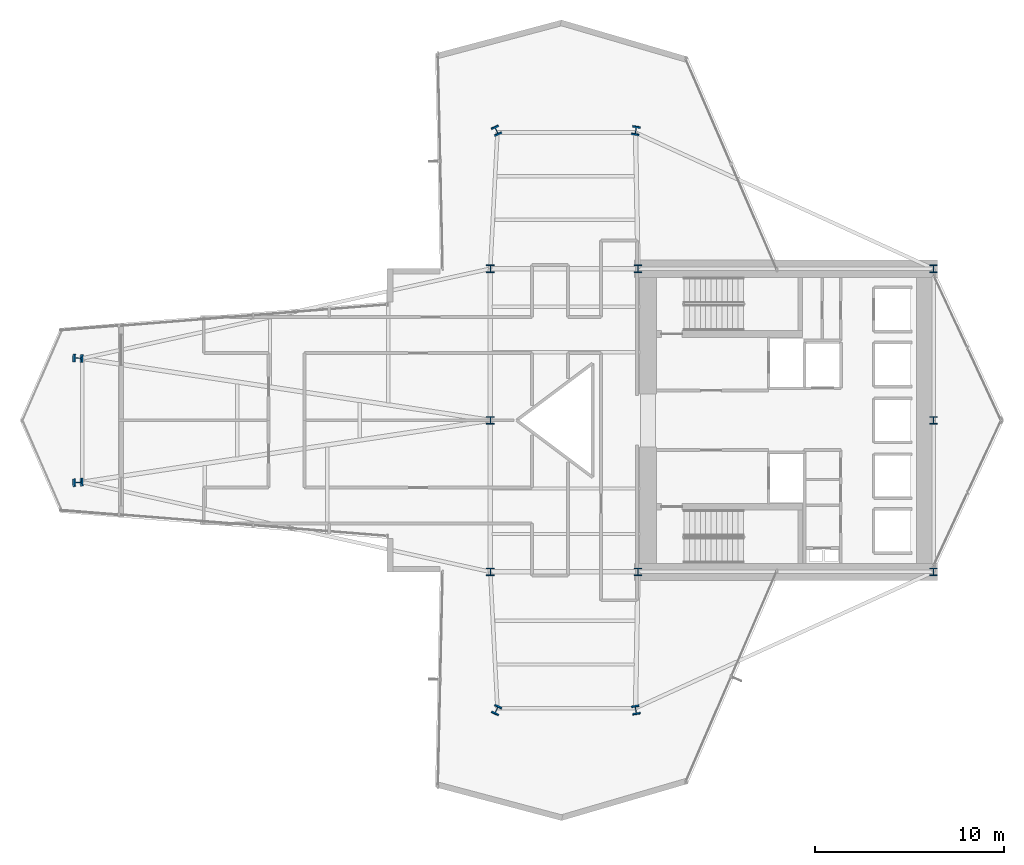
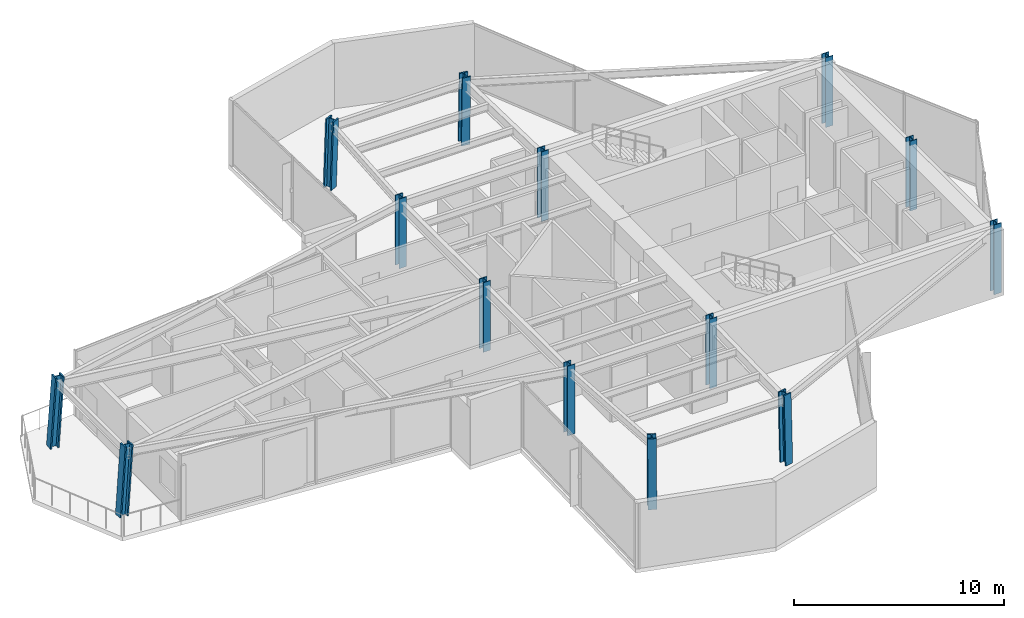
# One storey, part 1 of 26: 14 columns.
"""IFC4 building model written with IfcOpenShell, lengths in metres."""

from ifc_helpers import new_model, si_unit, direction, frame, origin, origin_2d, place, context, subcontext, project, spatial, i_section, extrude, material, material_profile, profile_set, type_object, element, save


model = new_model("IFC4")

# Units and contexts
model_context = context("Model", 3, precision=1e-05, world=origin(), true_north=direction((0.0, 1.0)))
body_context = subcontext(model_context, "Body", "Model", "MODEL_VIEW")
ifc_project = project(units=[si_unit("LENGTHUNIT", "METRE"), si_unit("AREAUNIT", "SQUARE_METRE"), si_unit("VOLUMEUNIT", "CUBIC_METRE"), si_unit("PLANEANGLEUNIT", "RADIAN"), si_unit("MASSUNIT", "GRAM", prefix="KILO")], contexts=[model_context])

# Site, building, storey
site_placement = place(None, origin())
site = spatial("IfcSite", under=ifc_project, at=site_placement, CompositionType="ELEMENT")
building_placement = place(site_placement, origin())
building = spatial("IfcBuilding", under=site, at=building_placement, Name="Veymaron Broadcast Tower", CompositionType="ELEMENT")
storey_placement = place(building_placement, frame((0.0, 0.0, 90.449951171875)))
storey = spatial("IfcBuildingStorey", under=building, at=storey_placement, Name="L20", CompositionType="ELEMENT", Elevation=90.449951171875)

# Columns
ifc_material = material(Name="Structural steel ASTM A913 Gr 65", Category="steel")
ifc_material_profile_1 = material_profile(ifc_material, i_section(OverallWidth=0.40087890625, OverallDepth=0.39892578125, WebThickness=0.02490234375, FlangeThickness=0.03955078125, at=origin_2d()), Name="W360X314")
ifc_profile_set_1 = profile_set([ifc_material_profile_1], Name="Structural steel ASTM A913 Gr 65")
column_type_1 = type_object("IfcColumnType", Name="COL-HC1", PredefinedType="COLUMN", material=ifc_profile_set_1)
for number, where, z_axis, x_axis, name in (
    (1, (31.199951171875, 16.0, 0.0), (0.0, 0.0, 1.0), (1.0, 0.0, 0.0), "L20 structural hub and core column"),
    (2, (31.199951171875, 24.0, 0.0), (0.0, 0.0, 1.0), (1.0, 0.0, 0.0), "L20 structural hub and core column"),
    (3, (31.199951171875, 32.0, 0.0), (0.0, 0.0, 1.0), (1.0, 0.0, 0.0), "L20 structural hub and core column"),
    (4, (39.0, 16.0, 0.0), (0.0, 0.0, 1.0), (1.0, 0.0, 0.0), "L20 structural hub and core column"),
    (5, (39.0, 32.0, 0.0), (0.0, 0.0, 1.0), (1.0, 0.0, 0.0), "L20 structural hub and core column"),
    (6, (54.60009765625, 16.0, 0.0), (0.0, 0.0, 1.0), (1.0, 0.0, 0.0), "L20 structural hub and core column"),
    (7, (54.60009765625, 24.0, 0.0), (0.0, 0.0, 1.0), (1.0, 0.0, 0.0), "L20 structural hub and core column"),
    (8, (54.60009765625, 32.0, 0.0), (0.0, 0.0, 1.0), (1.0, 0.0, 0.0), "L20 structural hub and core column"),
):
    element("IfcColumn", number, at=place(storey_placement, frame(where, z_axis=z_axis, x_axis=x_axis)), inside=storey, type_object=column_type_1, Name=name, PredefinedType="COLUMN", context=body_context, shape_type="SweptSolid", body=[
        extrude(i_section(OverallWidth=0.40087890625, OverallDepth=0.39892578125, WebThickness=0.02490234375, FlangeThickness=0.03955078125, at=origin_2d()), origin(), (0.0, 0.0, 1.0), 4.0439453125),
    ])
ifc_material_profile_2 = material_profile(ifc_material, i_section(OverallWidth=0.424072265625, OverallDepth=0.47412109375, WebThickness=0.047607421875, FlangeThickness=0.076904296875, at=origin_2d()), Name="W360X634")
ifc_profile_set_2 = profile_set([ifc_material_profile_2], Name="Structural steel ASTM A913 Gr 65")
column_type_2 = type_object("IfcColumnType", Name="COL-MC1", PredefinedType="COLUMN", material=ifc_profile_set_2)
for number, where, z_axis, x_axis, name in (
    (9, (9.386962890625, 20.715087890625, 0.01611328125), (0.068561985202, 0.004970895479, 0.997634474336), (-0.072312401922, 0.997382031384, 0.0), "L20 Tapered Wing Mega Column"),
    (10, (9.386962890625, 27.284912109375, 0.01611328125), (0.068561985202, -0.004970895479, 0.997634474336), (0.072312401922, 0.997382031384, 0.0), "L20 Tapered Wing Mega Column"),
):
    element("IfcColumn", number, at=place(storey_placement, frame(where, z_axis=z_axis, x_axis=x_axis)), inside=storey, type_object=column_type_2, Name=name, PredefinedType="COLUMN", context=body_context, shape_type="SweptSolid", body=[
        extrude(i_section(OverallWidth=0.424072265625, OverallDepth=0.47412109375, WebThickness=0.047607421875, FlangeThickness=0.076904296875, at=origin_2d()), origin(), (0.0, 0.0, 1.0), 4.02734375),
    ])
column_1_placement = place(storey_placement, frame((31.52197265625, 39.31005859375, 0.01611328125), z_axis=(0.013907491862, -0.029879851512, 0.999456740506), x_axis=(0.906606370736, 0.421977355485, 0.0)))
element("IfcColumn", 11, at=column_1_placement, inside=storey, type_object=column_type_2, Name="L20 Tapered Wing Mega Column", PredefinedType="COLUMN", context=body_context, shape_type="SweptSolid", body=[
    extrude(i_section(OverallWidth=0.424072265625, OverallDepth=0.47412109375, WebThickness=0.047607421875, FlangeThickness=0.076904296875, at=origin_2d()), origin(), (0.0, 0.0, 1.0), 4.02001953125),
])
column_2_placement = place(storey_placement, frame((38.885009765625, 39.31005859375, 0.01611328125), z_axis=(-0.004980395162, -0.029882370973, 0.999541014451), x_axis=(0.986393923832, -0.164398987305, 0.0)))
element("IfcColumn", 12, at=column_2_placement, inside=storey, type_object=column_type_2, Name="L20 Tapered Wing Mega Column", PredefinedType="COLUMN", context=body_context, shape_type="SweptSolid", body=[
    extrude(i_section(OverallWidth=0.424072265625, OverallDepth=0.47412109375, WebThickness=0.047607421875, FlangeThickness=0.076904296875, at=origin_2d()), origin(), (0.0, 0.0, 1.0), 4.019775390625),
])
column_3_placement = place(storey_placement, frame((31.52197265625, 8.68994140625, 0.01611328125), z_axis=(0.013907491862, 0.029879851512, 0.999456740506), x_axis=(-0.906606370736, 0.421977355485, 0.0)))
element("IfcColumn", 13, at=column_3_placement, inside=storey, type_object=column_type_2, Name="L20 Tapered Wing Mega Column", PredefinedType="COLUMN", context=body_context, shape_type="SweptSolid", body=[
    extrude(i_section(OverallWidth=0.424072265625, OverallDepth=0.47412109375, WebThickness=0.047607421875, FlangeThickness=0.076904296875, at=origin_2d()), origin(), (0.0, 0.0, 1.0), 4.02001953125),
])
column_4_placement = place(storey_placement, frame((38.885009765625, 8.68994140625, 0.01611328125), z_axis=(-0.004980395162, 0.029882370973, 0.999541014451), x_axis=(-0.986393923832, -0.164398987305, 0.0)))
element("IfcColumn", 14, at=column_4_placement, inside=storey, type_object=column_type_2, Name="L20 Tapered Wing Mega Column", PredefinedType="COLUMN", context=body_context, shape_type="SweptSolid", body=[
    extrude(i_section(OverallWidth=0.424072265625, OverallDepth=0.47412109375, WebThickness=0.047607421875, FlangeThickness=0.076904296875, at=origin_2d()), origin(), (0.0, 0.0, 1.0), 4.019775390625),
])

save(model, "model.ifc")
